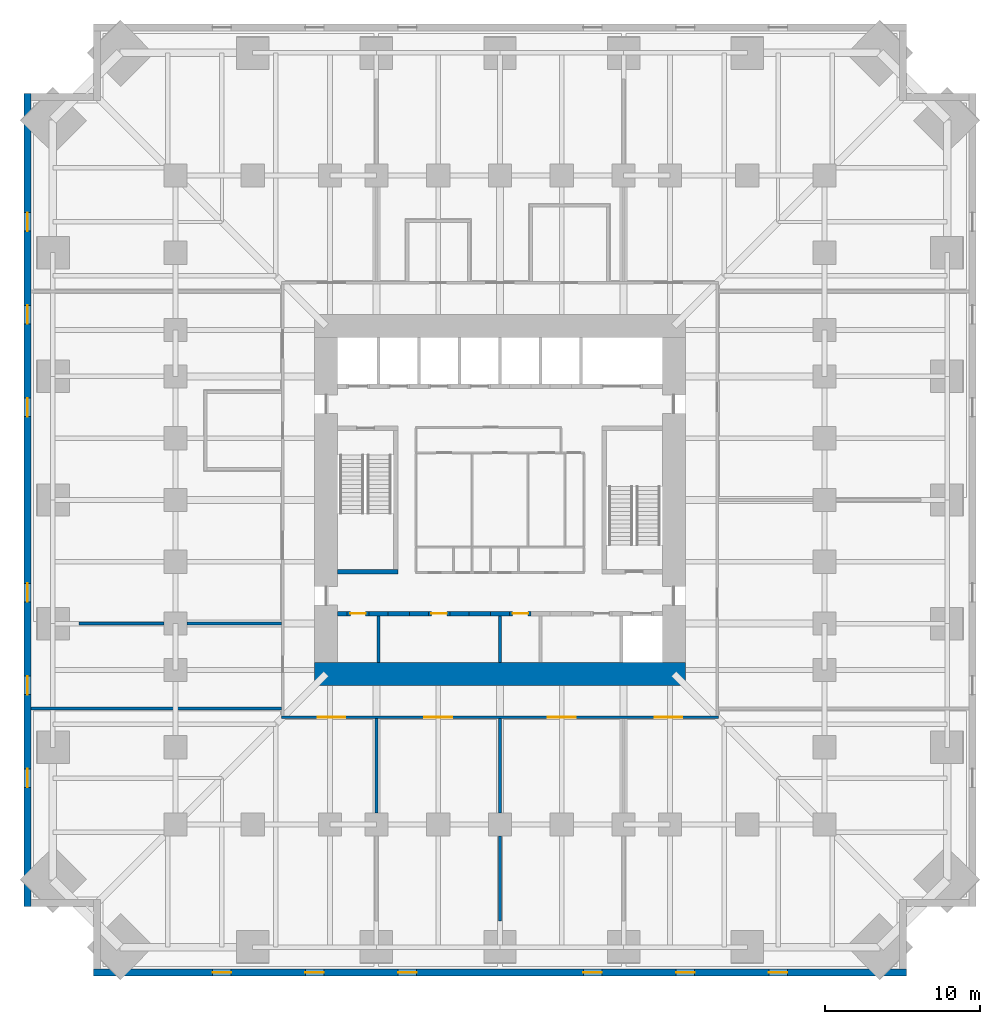
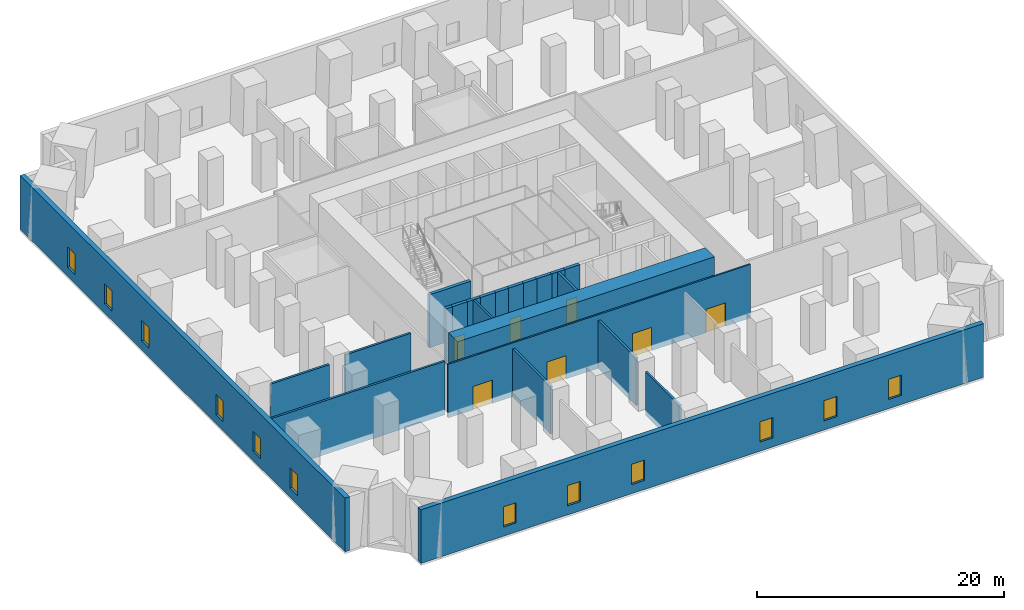
# One storey, part 3 of 8: 23 walls, 12 windows, 7 doors, 19 openings.
"""IFC4 building model written with IfcOpenShell, lengths in metres."""

from ifc_helpers import new_model, si_unit, direction, frame, frame_2d, origin, place, context, subcontext, project, spatial, rectangle, extrude, material, layer, layer_set, type_object, element, fill, save


model = new_model("IFC4")

# Units and contexts
model_context = context("Model", 3, precision=1e-05, world=origin(), true_north=direction((0.0, 1.0)))
body_context = subcontext(model_context, "Body", "Model", "MODEL_VIEW")
ifc_project = project(units=[si_unit("LENGTHUNIT", "METRE"), si_unit("AREAUNIT", "SQUARE_METRE"), si_unit("VOLUMEUNIT", "CUBIC_METRE"), si_unit("PLANEANGLEUNIT", "RADIAN"), si_unit("MASSUNIT", "GRAM", prefix="KILO")], contexts=[model_context])

# Site, building, storey
site_placement = place(None, origin())
site = spatial("IfcSite", under=ifc_project, at=site_placement, CompositionType="ELEMENT")
building_placement = place(site_placement, origin())
building = spatial("IfcBuilding", under=site, at=building_placement, Name="Peilmerk Tower", CompositionType="ELEMENT")
storey_placement = place(building_placement, frame((0.0, 0.0, 48.5)))
storey = spatial("IfcBuildingStorey", under=building, at=storey_placement, Name="L09", CompositionType="ELEMENT", Elevation=48.5)

# Wall, openings, windows
ifc_material_1 = material(Name="Precast concrete C45/55, board-marked finish", Category="concrete")
ifc_layer_1 = layer(ifc_material_1, 0.449951171875)
ifc_layer_set_1 = layer_set([ifc_layer_1], Name="Precast concrete C45/55, board-marked finish")
wall_type_1 = type_object("IfcWallType", Name="EW1 450 precast concrete facade wall, board-marked", PredefinedType="SOLIDWALL", material=ifc_layer_set_1)
wall_1_placement = place(storey_placement, frame((-26.300048828125, -30.574951171875, 0.0), z_axis=(0.0, 0.0, 1.0), x_axis=(1.0, 0.0, 0.0)))
wall_1 = element("IfcWall", 1, at=wall_1_placement, inside=storey, type_object=wall_type_1, Name="Facade wall S L09", PredefinedType="SOLIDWALL", context=body_context, shape_type="SweptSolid", body=[
    extrude(rectangle(XDim=52.60009765625, YDim=0.449951171875, at=frame_2d((26.300048828125, 0.0))), origin(), (0.0, 0.0, 1.0), 5.300048828125),
])
opening_1_placement = place(wall_1_placement, frame((7.699951171875, 0.0, 0.89990234375)))
opening_1 = element("IfcOpeningElement", 2, at=opening_1_placement, cuts=wall_1, Name="Opening W2", PredefinedType="OPENING", context=body_context, shape_type="SweptSolid", body=[
    extrude(rectangle(XDim=1.199951171875, YDim=2.0, at=frame_2d((0.60009765625, 1.0))), frame((0.0, 0.23486328125, 0.0), z_axis=(0.0, -1.0, 0.0), x_axis=(1.0, 0.0, 0.0)), (0.0, 0.0, 1.0), 0.469970703125),
])
opening_2_placement = place(wall_1_placement, frame((13.699951171875, 0.0, 0.89990234375)))
opening_2 = element("IfcOpeningElement", 3, at=opening_2_placement, cuts=wall_1, Name="Opening W2", PredefinedType="OPENING", context=body_context, shape_type="SweptSolid", body=[
    extrude(rectangle(XDim=1.199951171875, YDim=2.0, at=frame_2d((0.60009765625, 1.0))), frame((0.0, 0.23486328125, 0.0), z_axis=(0.0, -1.0, 0.0), x_axis=(1.0, 0.0, 0.0)), (0.0, 0.0, 1.0), 0.469970703125),
])
opening_3_placement = place(wall_1_placement, frame((19.699951171875, 0.0, 0.89990234375)))
opening_3 = element("IfcOpeningElement", 4, at=opening_3_placement, cuts=wall_1, Name="Opening W2", PredefinedType="OPENING", context=body_context, shape_type="SweptSolid", body=[
    extrude(rectangle(XDim=1.199951171875, YDim=2.0, at=frame_2d((0.60009765625, 1.0))), frame((0.0, 0.23486328125, 0.0), z_axis=(0.0, -1.0, 0.0), x_axis=(1.0, 0.0, 0.0)), (0.0, 0.0, 1.0), 0.469970703125),
])
opening_4_placement = place(wall_1_placement, frame((31.699951171875, 0.0, 0.89990234375)))
opening_4 = element("IfcOpeningElement", 5, at=opening_4_placement, cuts=wall_1, Name="Opening W2", PredefinedType="OPENING", context=body_context, shape_type="SweptSolid", body=[
    extrude(rectangle(XDim=1.199951171875, YDim=2.0, at=frame_2d((0.60009765625, 1.0))), frame((0.0, 0.23486328125, 0.0), z_axis=(0.0, -1.0, 0.0), x_axis=(1.0, 0.0, 0.0)), (0.0, 0.0, 1.0), 0.469970703125),
])
opening_5_placement = place(wall_1_placement, frame((37.699951171875, 0.0, 0.89990234375)))
opening_5 = element("IfcOpeningElement", 6, at=opening_5_placement, cuts=wall_1, Name="Opening W2", PredefinedType="OPENING", context=body_context, shape_type="SweptSolid", body=[
    extrude(rectangle(XDim=1.199951171875, YDim=2.0, at=frame_2d((0.60009765625, 1.0))), frame((0.0, 0.23486328125, 0.0), z_axis=(0.0, -1.0, 0.0), x_axis=(1.0, 0.0, 0.0)), (0.0, 0.0, 1.0), 0.469970703125),
])
opening_6_placement = place(wall_1_placement, frame((43.699951171875, 0.0, 0.89990234375)))
opening_6 = element("IfcOpeningElement", 7, at=opening_6_placement, cuts=wall_1, Name="Opening W2", PredefinedType="OPENING", context=body_context, shape_type="SweptSolid", body=[
    extrude(rectangle(XDim=1.199951171875, YDim=2.0, at=frame_2d((0.60009765625, 1.0))), frame((0.0, 0.23486328125, 0.0), z_axis=(0.0, -1.0, 0.0), x_axis=(1.0, 0.0, 0.0)), (0.0, 0.0, 1.0), 0.469970703125),
])
ifc_material_2 = material(Name="Aluminium frame, clear double glazing", Category="aluminium")
window_type = type_object("IfcWindowType", Name="W2 1200x2000 data hall slot window", PartitioningType="SINGLE_PANEL", PredefinedType="WINDOW", material=ifc_material_2)
window_1_placement = place(opening_1_placement, origin())
window_1 = element("IfcWindow", 8, at=window_1_placement, inside=storey, type_object=window_type, Name="Window W2 L09", OverallHeight=2.0, OverallWidth=1.199951171875, PartitioningType="SINGLE_PANEL", PredefinedType="WINDOW", context=body_context, shape_type="SweptSolid", body=[
    extrude(rectangle(XDim=1.199951171875, YDim=2.0, at=frame_2d((0.60009765625, 1.0))), frame((0.0, 0.030029296875, 0.0), z_axis=(0.0, -1.0, 0.0), x_axis=(1.0, 0.0, 0.0)), (0.0, 0.0, 1.0), 0.06005859375),
])
fill(opening_1, window_1)
window_2_placement = place(opening_2_placement, origin())
window_2 = element("IfcWindow", 9, at=window_2_placement, inside=storey, type_object=window_type, Name="Window W2 L09", OverallHeight=2.0, OverallWidth=1.199951171875, PartitioningType="SINGLE_PANEL", PredefinedType="WINDOW", context=body_context, shape_type="SweptSolid", body=[
    extrude(rectangle(XDim=1.199951171875, YDim=2.0, at=frame_2d((0.60009765625, 1.0))), frame((0.0, 0.030029296875, 0.0), z_axis=(0.0, -1.0, 0.0), x_axis=(1.0, 0.0, 0.0)), (0.0, 0.0, 1.0), 0.06005859375),
])
fill(opening_2, window_2)
window_3_placement = place(opening_3_placement, origin())
window_3 = element("IfcWindow", 10, at=window_3_placement, inside=storey, type_object=window_type, Name="Window W2 L09", OverallHeight=2.0, OverallWidth=1.199951171875, PartitioningType="SINGLE_PANEL", PredefinedType="WINDOW", context=body_context, shape_type="SweptSolid", body=[
    extrude(rectangle(XDim=1.199951171875, YDim=2.0, at=frame_2d((0.60009765625, 1.0))), frame((0.0, 0.030029296875, 0.0), z_axis=(0.0, -1.0, 0.0), x_axis=(1.0, 0.0, 0.0)), (0.0, 0.0, 1.0), 0.06005859375),
])
fill(opening_3, window_3)
window_4_placement = place(opening_4_placement, origin())
window_4 = element("IfcWindow", 11, at=window_4_placement, inside=storey, type_object=window_type, Name="Window W2 L09", OverallHeight=2.0, OverallWidth=1.199951171875, PartitioningType="SINGLE_PANEL", PredefinedType="WINDOW", context=body_context, shape_type="SweptSolid", body=[
    extrude(rectangle(XDim=1.199951171875, YDim=2.0, at=frame_2d((0.60009765625, 1.0))), frame((0.0, 0.030029296875, 0.0), z_axis=(0.0, -1.0, 0.0), x_axis=(1.0, 0.0, 0.0)), (0.0, 0.0, 1.0), 0.06005859375),
])
fill(opening_4, window_4)
window_5_placement = place(opening_5_placement, origin())
window_5 = element("IfcWindow", 12, at=window_5_placement, inside=storey, type_object=window_type, Name="Window W2 L09", OverallHeight=2.0, OverallWidth=1.199951171875, PartitioningType="SINGLE_PANEL", PredefinedType="WINDOW", context=body_context, shape_type="SweptSolid", body=[
    extrude(rectangle(XDim=1.199951171875, YDim=2.0, at=frame_2d((0.60009765625, 1.0))), frame((0.0, 0.030029296875, 0.0), z_axis=(0.0, -1.0, 0.0), x_axis=(1.0, 0.0, 0.0)), (0.0, 0.0, 1.0), 0.06005859375),
])
fill(opening_5, window_5)
window_6_placement = place(opening_6_placement, origin())
window_6 = element("IfcWindow", 13, at=window_6_placement, inside=storey, type_object=window_type, Name="Window W2 L09", OverallHeight=2.0, OverallWidth=1.199951171875, PartitioningType="SINGLE_PANEL", PredefinedType="WINDOW", context=body_context, shape_type="SweptSolid", body=[
    extrude(rectangle(XDim=1.199951171875, YDim=2.0, at=frame_2d((0.60009765625, 1.0))), frame((0.0, 0.030029296875, 0.0), z_axis=(0.0, -1.0, 0.0), x_axis=(1.0, 0.0, 0.0)), (0.0, 0.0, 1.0), 0.06005859375),
])
fill(opening_6, window_6)

wall_2_placement = place(storey_placement, frame((-30.574951171875, 26.300048828125, 0.0), z_axis=(0.0, 0.0, 1.0), x_axis=(0.0, -1.0, 0.0)))
wall_2 = element("IfcWall", 14, at=wall_2_placement, inside=storey, type_object=wall_type_1, Name="Facade wall W L09", PredefinedType="SOLIDWALL", context=body_context, shape_type="SweptSolid", body=[
    extrude(rectangle(XDim=52.60009765625, YDim=0.449951171875, at=frame_2d((26.300048828125, 0.0))), origin(), (0.0, 0.0, 1.0), 5.300048828125),
])
opening_7_placement = place(wall_2_placement, frame((7.699951171875, 0.0, 0.89990234375)))
opening_7 = element("IfcOpeningElement", 15, at=opening_7_placement, cuts=wall_2, Name="Opening W2", PredefinedType="OPENING", context=body_context, shape_type="SweptSolid", body=[
    extrude(rectangle(XDim=1.199951171875, YDim=2.0, at=frame_2d((0.60009765625, 1.0))), frame((0.0, 0.23486328125, 0.0), z_axis=(0.0, -1.0, 0.0), x_axis=(1.0, 0.0, 0.0)), (0.0, 0.0, 1.0), 0.469970703125),
])
opening_8_placement = place(wall_2_placement, frame((13.699951171875, 0.0, 0.89990234375)))
opening_8 = element("IfcOpeningElement", 16, at=opening_8_placement, cuts=wall_2, Name="Opening W2", PredefinedType="OPENING", context=body_context, shape_type="SweptSolid", body=[
    extrude(rectangle(XDim=1.199951171875, YDim=2.0, at=frame_2d((0.60009765625, 1.0))), frame((0.0, 0.23486328125, 0.0), z_axis=(0.0, -1.0, 0.0), x_axis=(1.0, 0.0, 0.0)), (0.0, 0.0, 1.0), 0.469970703125),
])
opening_9_placement = place(wall_2_placement, frame((19.699951171875, 0.0, 0.89990234375)))
opening_9 = element("IfcOpeningElement", 17, at=opening_9_placement, cuts=wall_2, Name="Opening W2", PredefinedType="OPENING", context=body_context, shape_type="SweptSolid", body=[
    extrude(rectangle(XDim=1.199951171875, YDim=2.0, at=frame_2d((0.60009765625, 1.0))), frame((0.0, 0.23486328125, 0.0), z_axis=(0.0, -1.0, 0.0), x_axis=(1.0, 0.0, 0.0)), (0.0, 0.0, 1.0), 0.469970703125),
])
opening_10_placement = place(wall_2_placement, frame((31.699951171875, 0.0, 0.89990234375)))
opening_10 = element("IfcOpeningElement", 18, at=opening_10_placement, cuts=wall_2, Name="Opening W2", PredefinedType="OPENING", context=body_context, shape_type="SweptSolid", body=[
    extrude(rectangle(XDim=1.199951171875, YDim=2.0, at=frame_2d((0.60009765625, 1.0))), frame((0.0, 0.23486328125, 0.0), z_axis=(0.0, -1.0, 0.0), x_axis=(1.0, 0.0, 0.0)), (0.0, 0.0, 1.0), 0.469970703125),
])
opening_11_placement = place(wall_2_placement, frame((37.699951171875, 0.0, 0.89990234375)))
opening_11 = element("IfcOpeningElement", 19, at=opening_11_placement, cuts=wall_2, Name="Opening W2", PredefinedType="OPENING", context=body_context, shape_type="SweptSolid", body=[
    extrude(rectangle(XDim=1.199951171875, YDim=2.0, at=frame_2d((0.60009765625, 1.0))), frame((0.0, 0.23486328125, 0.0), z_axis=(0.0, -1.0, 0.0), x_axis=(1.0, 0.0, 0.0)), (0.0, 0.0, 1.0), 0.469970703125),
])
opening_12_placement = place(wall_2_placement, frame((43.699951171875, 0.0, 0.89990234375)))
opening_12 = element("IfcOpeningElement", 20, at=opening_12_placement, cuts=wall_2, Name="Opening W2", PredefinedType="OPENING", context=body_context, shape_type="SweptSolid", body=[
    extrude(rectangle(XDim=1.199951171875, YDim=2.0, at=frame_2d((0.60009765625, 1.0))), frame((0.0, 0.23486328125, 0.0), z_axis=(0.0, -1.0, 0.0), x_axis=(1.0, 0.0, 0.0)), (0.0, 0.0, 1.0), 0.469970703125),
])
window_7_placement = place(opening_7_placement, origin())
window_7 = element("IfcWindow", 21, at=window_7_placement, inside=storey, type_object=window_type, Name="Window W2 L09", OverallHeight=2.0, OverallWidth=1.199951171875, PartitioningType="SINGLE_PANEL", PredefinedType="WINDOW", context=body_context, shape_type="SweptSolid", body=[
    extrude(rectangle(XDim=1.199951171875, YDim=2.0, at=frame_2d((0.60009765625, 1.0))), frame((0.0, 0.030029296875, 0.0), z_axis=(0.0, -1.0, 0.0), x_axis=(1.0, 0.0, 0.0)), (0.0, 0.0, 1.0), 0.06005859375),
])
fill(opening_7, window_7)
window_8_placement = place(opening_8_placement, origin())
window_8 = element("IfcWindow", 22, at=window_8_placement, inside=storey, type_object=window_type, Name="Window W2 L09", OverallHeight=2.0, OverallWidth=1.199951171875, PartitioningType="SINGLE_PANEL", PredefinedType="WINDOW", context=body_context, shape_type="SweptSolid", body=[
    extrude(rectangle(XDim=1.199951171875, YDim=2.0, at=frame_2d((0.60009765625, 1.0))), frame((0.0, 0.030029296875, 0.0), z_axis=(0.0, -1.0, 0.0), x_axis=(1.0, 0.0, 0.0)), (0.0, 0.0, 1.0), 0.06005859375),
])
fill(opening_8, window_8)
window_9_placement = place(opening_9_placement, origin())
window_9 = element("IfcWindow", 23, at=window_9_placement, inside=storey, type_object=window_type, Name="Window W2 L09", OverallHeight=2.0, OverallWidth=1.199951171875, PartitioningType="SINGLE_PANEL", PredefinedType="WINDOW", context=body_context, shape_type="SweptSolid", body=[
    extrude(rectangle(XDim=1.199951171875, YDim=2.0, at=frame_2d((0.60009765625, 1.0))), frame((0.0, 0.030029296875, 0.0), z_axis=(0.0, -1.0, 0.0), x_axis=(1.0, 0.0, 0.0)), (0.0, 0.0, 1.0), 0.06005859375),
])
fill(opening_9, window_9)
window_10_placement = place(opening_10_placement, origin())
window_10 = element("IfcWindow", 24, at=window_10_placement, inside=storey, type_object=window_type, Name="Window W2 L09", OverallHeight=2.0, OverallWidth=1.199951171875, PartitioningType="SINGLE_PANEL", PredefinedType="WINDOW", context=body_context, shape_type="SweptSolid", body=[
    extrude(rectangle(XDim=1.199951171875, YDim=2.0, at=frame_2d((0.60009765625, 1.0))), frame((0.0, 0.030029296875, 0.0), z_axis=(0.0, -1.0, 0.0), x_axis=(1.0, 0.0, 0.0)), (0.0, 0.0, 1.0), 0.06005859375),
])
fill(opening_10, window_10)
window_11_placement = place(opening_11_placement, origin())
window_11 = element("IfcWindow", 25, at=window_11_placement, inside=storey, type_object=window_type, Name="Window W2 L09", OverallHeight=2.0, OverallWidth=1.199951171875, PartitioningType="SINGLE_PANEL", PredefinedType="WINDOW", context=body_context, shape_type="SweptSolid", body=[
    extrude(rectangle(XDim=1.199951171875, YDim=2.0, at=frame_2d((0.60009765625, 1.0))), frame((0.0, 0.030029296875, 0.0), z_axis=(0.0, -1.0, 0.0), x_axis=(1.0, 0.0, 0.0)), (0.0, 0.0, 1.0), 0.06005859375),
])
fill(opening_11, window_11)
window_12_placement = place(opening_12_placement, origin())
window_12 = element("IfcWindow", 26, at=window_12_placement, inside=storey, type_object=window_type, Name="Window W2 L09", OverallHeight=2.0, OverallWidth=1.199951171875, PartitioningType="SINGLE_PANEL", PredefinedType="WINDOW", context=body_context, shape_type="SweptSolid", body=[
    extrude(rectangle(XDim=1.199951171875, YDim=2.0, at=frame_2d((0.60009765625, 1.0))), frame((0.0, 0.030029296875, 0.0), z_axis=(0.0, -1.0, 0.0), x_axis=(1.0, 0.0, 0.0)), (0.0, 0.0, 1.0), 0.06005859375),
])
fill(opening_12, window_12)

# Wall, openings, doors
ifc_material_3 = material(Name="Calcium silicate block", Category="masonry")
ifc_layer_2 = layer(ifc_material_3, 0.14990234375)
ifc_layer_set_2 = layer_set([ifc_layer_2], Name="Calcium silicate block")
wall_type_2 = type_object("IfcWallType", Name="IW1 150 corridor partition, EI 60", PredefinedType="PARTITIONING", material=ifc_layer_set_2)
wall_3_placement = place(storey_placement, frame((14.125, -14.050048828125, 0.0), z_axis=(0.0, 0.0, 1.0), x_axis=(-1.0, 0.0, 0.0)))
wall_3 = element("IfcWall", 27, at=wall_3_placement, inside=storey, type_object=wall_type_2, Name="Corridor wall S L09", PredefinedType="PARTITIONING", context=body_context, shape_type="SweptSolid", body=[
    extrude(rectangle(XDim=28.25, YDim=0.14990234375, at=frame_2d((14.125, 0.0))), origin(), (0.0, 0.0, 1.0), 5.300048828125),
])
opening_13_placement = place(wall_3_placement, frame((24.125, 0.0, 0.0)))
opening_13 = element("IfcOpeningElement", 28, at=opening_13_placement, cuts=wall_3, Name="Opening D2", PredefinedType="OPENING", context=body_context, shape_type="SweptSolid", body=[
    extrude(rectangle(XDim=1.800048828125, YDim=2.300048828125, at=frame_2d((0.89990234375, 1.14990234375))), frame((0.0, 0.0849609375, 0.0), z_axis=(0.0, -1.0, 0.0), x_axis=(1.0, 0.0, 0.0)), (0.0, 0.0, 1.0), 0.169921875),
])
opening_14_placement = place(wall_3_placement, frame((17.22509765625, 0.0, 0.0)))
opening_14 = element("IfcOpeningElement", 29, at=opening_14_placement, cuts=wall_3, Name="Opening D2", PredefinedType="OPENING", context=body_context, shape_type="SweptSolid", body=[
    extrude(rectangle(XDim=1.800048828125, YDim=2.300048828125, at=frame_2d((0.89990234375, 1.14990234375))), frame((0.0, 0.0849609375, 0.0), z_axis=(0.0, -1.0, 0.0), x_axis=(1.0, 0.0, 0.0)), (0.0, 0.0, 1.0), 0.169921875),
])
opening_15_placement = place(wall_3_placement, frame((9.22509765625, 0.0, 0.0)))
opening_15 = element("IfcOpeningElement", 30, at=opening_15_placement, cuts=wall_3, Name="Opening D2", PredefinedType="OPENING", context=body_context, shape_type="SweptSolid", body=[
    extrude(rectangle(XDim=1.800048828125, YDim=2.300048828125, at=frame_2d((0.89990234375, 1.14990234375))), frame((0.0, 0.0849609375, 0.0), z_axis=(0.0, -1.0, 0.0), x_axis=(1.0, 0.0, 0.0)), (0.0, 0.0, 1.0), 0.169921875),
])
opening_16_placement = place(wall_3_placement, frame((2.324951171875, 0.0, 0.0)))
opening_16 = element("IfcOpeningElement", 31, at=opening_16_placement, cuts=wall_3, Name="Opening D2", PredefinedType="OPENING", context=body_context, shape_type="SweptSolid", body=[
    extrude(rectangle(XDim=1.800048828125, YDim=2.300048828125, at=frame_2d((0.89990234375, 1.14990234375))), frame((0.0, 0.0849609375, 0.0), z_axis=(0.0, -1.0, 0.0), x_axis=(1.0, 0.0, 0.0)), (0.0, 0.0, 1.0), 0.169921875),
])
ifc_material_4 = material(Name="Steel door in steel frame", Category="steel")
door_type_1 = type_object("IfcDoorType", Name="D2 1800x2300 double door, EI2 60", OperationType="DOUBLE_DOOR_DOUBLE_SWING", PredefinedType="DOOR", material=ifc_material_4)
door_1_placement = place(opening_13_placement, origin())
door_1 = element("IfcDoor", 32, at=door_1_placement, inside=storey, type_object=door_type_1, Name="Door Cross-connect room L09", OperationType="DOUBLE_DOOR_DOUBLE_SWING", OverallHeight=2.300048828125, OverallWidth=1.800048828125, PredefinedType="DOOR", context=body_context, shape_type="SweptSolid", body=[
    extrude(rectangle(XDim=1.800048828125, YDim=2.300048828125, at=frame_2d((0.89990234375, 1.14990234375))), frame((0.0, 0.02490234375, 0.0), z_axis=(0.0, -1.0, 0.0), x_axis=(1.0, 0.0, 0.0)), (0.0, 0.0, 1.0), 0.050048828125),
])
fill(opening_13, door_1)
door_2_placement = place(opening_14_placement, origin())
door_2 = element("IfcDoor", 33, at=door_2_placement, inside=storey, type_object=door_type_1, Name="Door Meet-me room B L09", OperationType="DOUBLE_DOOR_DOUBLE_SWING", OverallHeight=2.300048828125, OverallWidth=1.800048828125, PredefinedType="DOOR", context=body_context, shape_type="SweptSolid", body=[
    extrude(rectangle(XDim=1.800048828125, YDim=2.300048828125, at=frame_2d((0.89990234375, 1.14990234375))), frame((0.0, 0.02490234375, 0.0), z_axis=(0.0, -1.0, 0.0), x_axis=(1.0, 0.0, 0.0)), (0.0, 0.0, 1.0), 0.050048828125),
])
fill(opening_14, door_2)
door_3_placement = place(opening_15_placement, origin())
door_3 = element("IfcDoor", 34, at=door_3_placement, inside=storey, type_object=door_type_1, Name="Door Carrier room L09", OperationType="DOUBLE_DOOR_DOUBLE_SWING", OverallHeight=2.300048828125, OverallWidth=1.800048828125, PredefinedType="DOOR", context=body_context, shape_type="SweptSolid", body=[
    extrude(rectangle(XDim=1.800048828125, YDim=2.300048828125, at=frame_2d((0.89990234375, 1.14990234375))), frame((0.0, 0.02490234375, 0.0), z_axis=(0.0, -1.0, 0.0), x_axis=(1.0, 0.0, 0.0)), (0.0, 0.0, 1.0), 0.050048828125),
])
fill(opening_15, door_3)
door_4_placement = place(opening_16_placement, origin())
door_4 = element("IfcDoor", 35, at=door_4_placement, inside=storey, type_object=door_type_1, Name="Door Network room L09", OperationType="DOUBLE_DOOR_DOUBLE_SWING", OverallHeight=2.300048828125, OverallWidth=1.800048828125, PredefinedType="DOOR", context=body_context, shape_type="SweptSolid", body=[
    extrude(rectangle(XDim=1.800048828125, YDim=2.300048828125, at=frame_2d((0.89990234375, 1.14990234375))), frame((0.0, 0.02490234375, 0.0), z_axis=(0.0, -1.0, 0.0), x_axis=(1.0, 0.0, 0.0)), (0.0, 0.0, 1.0), 0.050048828125),
])
fill(opening_16, door_4)

# Walls
ifc_layer_3 = layer(ifc_material_3, 0.199951171875)
ifc_layer_set_3 = layer_set([ifc_layer_3], Name="Calcium silicate block")
wall_type_3 = type_object("IfcWallType", Name="IW2 200 room separating wall, EI 120", PredefinedType="PARTITIONING", material=ifc_layer_set_3)
wall_4_placement = place(storey_placement, frame((-14.125, -13.5, 0.0), z_axis=(0.0, 0.0, 1.0), x_axis=(-1.0, 0.0, 0.0)))
element("IfcWall", 36, at=wall_4_placement, inside=storey, type_object=wall_type_3, Name="Room separating wall SW L09", PredefinedType="PARTITIONING", context=body_context, shape_type="SweptSolid", body=[
    extrude(rectangle(XDim=16.22509765625, YDim=0.199951171875, at=frame_2d((8.112548828125, 0.0))), origin(), (0.0, 0.0, 1.0), 5.300048828125),
])
for number, where, z_axis, x_axis, name in (
    (37, (-8.0, -14.125, 0.0), (0.0, 0.0, 1.0), (0.0, -1.0, 0.0), "Room separating wall S1 L09"),
    (38, (0.0, -14.125, 0.0), (0.0, 0.0, 1.0), (0.0, -1.0, 0.0), "Room separating wall S2 L09"),
):
    element("IfcWall", number, at=place(storey_placement, frame(where, z_axis=z_axis, x_axis=x_axis)), inside=storey, type_object=wall_type_3, Name=name, PredefinedType="PARTITIONING", context=body_context, shape_type="SweptSolid", body=[
        extrude(rectangle(XDim=6.125, YDim=0.199951171875, at=frame_2d((3.0625, 0.0))), origin(), (0.0, 0.0, 1.0), 4.73095703125),
    ])
wall_5_placement = place(storey_placement, frame((0.0, -21.75, 0.0), z_axis=(0.0, 0.0, 1.0), x_axis=(0.0, -1.0, 0.0)))
element("IfcWall", 39, at=wall_5_placement, inside=storey, type_object=wall_type_3, Name="Room separating wall S2b L09", PredefinedType="PARTITIONING", context=body_context, shape_type="SweptSolid", body=[
    extrude(rectangle(XDim=5.484375, YDim=0.199951171875, at=frame_2d((2.7421875, 0.0))), origin(), (0.0, 0.0, 1.0), 4.2919921875),
])
wall_6_placement = place(storey_placement, frame((-14.125, -8.0, 0.0), z_axis=(0.0, 0.0, 1.0), x_axis=(-1.0, 0.0, 0.0)))
element("IfcWall", 40, at=wall_6_placement, inside=storey, type_object=wall_type_3, Name="Room separating wall W1 L09", PredefinedType="PARTITIONING", context=body_context, shape_type="SweptSolid", body=[
    extrude(rectangle(XDim=6.125, YDim=0.199951171875, at=frame_2d((3.0625, 0.0))), origin(), (0.0, 0.0, 1.0), 4.73095703125),
])
wall_7_placement = place(storey_placement, frame((-21.75, -8.0, 0.0), z_axis=(0.0, 0.0, 1.0), x_axis=(-1.0, 0.0, 0.0)))
element("IfcWall", 41, at=wall_7_placement, inside=storey, type_object=wall_type_3, Name="Room separating wall W1b L09", PredefinedType="PARTITIONING", context=body_context, shape_type="SweptSolid", body=[
    extrude(rectangle(XDim=5.484375, YDim=0.199951171875, at=frame_2d((2.7421875, 0.0))), origin(), (0.0, 0.0, 1.0), 4.2919921875),
])
ifc_material_5 = material(Name="Concrete C35/45", Category="concrete")
ifc_layer_4 = layer(ifc_material_5, 0.300048828125)
ifc_layer_set_4 = layer_set([ifc_layer_4], Name="Concrete C35/45")
wall_type_4 = type_object("IfcWallType", Name="IW3 300 concrete stair enclosure wall, EI 120", PredefinedType="SOLIDWALL", material=ifc_layer_set_4)
wall_8_placement = place(storey_placement, frame((-6.60009765625, -4.64990234375, 0.0), z_axis=(0.0, 0.0, 1.0), x_axis=(-1.0, 0.0, 0.0)))
element("IfcWall", 42, at=wall_8_placement, inside=storey, type_object=wall_type_4, Name="Stair 1 enclosure L09", PredefinedType="SOLIDWALL", context=body_context, shape_type="SweptSolid", body=[
    extrude(rectangle(XDim=3.89990234375, YDim=0.300048828125, at=frame_2d((1.949951171875, 0.0))), origin(), (0.0, 0.0, 1.0), 5.25),
])
ifc_layer_5 = layer(ifc_material_3, 0.199951171875)
ifc_layer_set_5 = layer_set([ifc_layer_5], Name="Calcium silicate block")
wall_type_5 = type_object("IfcWallType", Name="SH1 200 shaft dividing wall, EI 120", PredefinedType="PARTITIONING", material=ifc_layer_set_5)
for number, where, z_axis, x_axis, name in (
    (43, (-7.875, -10.5, 0.0), (0.0, 0.0, 1.0), (0.0, 1.0, 0.0), "Shaft wall S C4 L09"),
    (44, (0.0, -10.5, 0.0), (0.0, 0.0, 1.0), (0.0, 1.0, 0.0), "Shaft wall S C1 L09"),
):
    element("IfcWall", number, at=place(storey_placement, frame(where, z_axis=z_axis, x_axis=x_axis)), inside=storey, type_object=wall_type_5, Name=name, PredefinedType="PARTITIONING", context=body_context, shape_type="SweptSolid", body=[
        extrude(rectangle(XDim=3.0, YDim=0.199951171875, at=frame_2d((1.5, 0.0))), origin(), (0.0, 0.0, 1.0), 5.5),
    ])

# Wall, opening, door
ifc_layer_6 = layer(ifc_material_3, 0.300048828125)
ifc_layer_set_6 = layer_set([ifc_layer_6], Name="Calcium silicate block")
wall_type_6 = type_object("IfcWallType", Name="SH2 300 lift landing door panel, EI 120", PredefinedType="PARTITIONING", material=ifc_layer_set_6)
wall_9_placement = place(storey_placement, frame((-9.887451171875, -7.35009765625, 0.0), z_axis=(0.0, 0.0, 1.0), x_axis=(1.0, 0.0, 0.0)))
wall_9 = element("IfcWall", 45, at=wall_9_placement, inside=storey, type_object=wall_type_6, Name="Lift door panel S C4 L09", PredefinedType="PARTITIONING", context=body_context, shape_type="SweptSolid", body=[
    extrude(rectangle(XDim=1.39990234375, YDim=0.300048828125, at=frame_2d((0.699951171875, 0.0))), origin(), (0.0, 0.0, 1.0), 5.5),
])
opening_17_placement = place(wall_9_placement, frame((0.199951171875, 0.0, 0.0)))
opening_17 = element("IfcOpeningElement", 46, at=opening_17_placement, cuts=wall_9, Name="Opening D10", PredefinedType="OPENING", context=body_context, shape_type="SweptSolid", body=[
    extrude(rectangle(XDim=1.0, YDim=2.300048828125, at=frame_2d((0.5, 1.14990234375))), frame((0.0, 0.159912109375, 0.0), z_axis=(0.0, -1.0, 0.0), x_axis=(1.0, 0.0, 0.0)), (0.0, 0.0, 1.0), 0.320068359375),
])
door_type_2 = type_object("IfcDoorType", Name="D10 1000x2300 core room door, EI2 60", OperationType="SINGLE_SWING_RIGHT", PredefinedType="DOOR", material=ifc_material_4)
door_5_placement = place(opening_17_placement, frame((1.0, 0.0, 0.0), z_axis=(0.0, 0.0, 1.0), x_axis=(-1.0, 0.0, 0.0)))
door_5 = element("IfcDoor", 47, at=door_5_placement, inside=storey, type_object=door_type_2, Name="Door Water meter room L09", OperationType="SINGLE_SWING_RIGHT", OverallHeight=2.300048828125, OverallWidth=1.0, PredefinedType="DOOR", context=body_context, shape_type="SweptSolid", body=[
    extrude(rectangle(XDim=1.0, YDim=2.300048828125, at=frame_2d((0.5, 1.14990234375))), frame((0.0, 0.02490234375, 0.0), z_axis=(0.0, -1.0, 0.0), x_axis=(1.0, 0.0, 0.0)), (0.0, 0.0, 1.0), 0.050048828125),
])
fill(opening_17, door_5)

# Wall
wall_10_placement = place(storey_placement, frame((-7.262451171875, -7.35009765625, 0.0), z_axis=(0.0, 0.0, 1.0), x_axis=(1.0, 0.0, 0.0)))
element("IfcWall", 48, at=wall_10_placement, inside=storey, type_object=wall_type_6, Name="Lift door panel S C3 L09", PredefinedType="PARTITIONING", context=body_context, shape_type="SweptSolid", body=[
    extrude(rectangle(XDim=1.39990234375, YDim=0.300048828125, at=frame_2d((0.699951171875, 0.0))), origin(), (0.0, 0.0, 1.0), 5.5),
])

# Wall, opening, door
wall_11_placement = place(storey_placement, frame((-4.637451171875, -7.35009765625, 0.0), z_axis=(0.0, 0.0, 1.0), x_axis=(1.0, 0.0, 0.0)))
wall_11 = element("IfcWall", 49, at=wall_11_placement, inside=storey, type_object=wall_type_6, Name="Lift door panel S C2 L09", PredefinedType="PARTITIONING", context=body_context, shape_type="SweptSolid", body=[
    extrude(rectangle(XDim=1.39990234375, YDim=0.300048828125, at=frame_2d((0.699951171875, 0.0))), origin(), (0.0, 0.0, 1.0), 5.5),
])
opening_18_placement = place(wall_11_placement, frame((0.199951171875, 0.0, 0.0)))
opening_18 = element("IfcOpeningElement", 50, at=opening_18_placement, cuts=wall_11, Name="Opening D10", PredefinedType="OPENING", context=body_context, shape_type="SweptSolid", body=[
    extrude(rectangle(XDim=1.0, YDim=2.300048828125, at=frame_2d((0.5, 1.14990234375))), frame((0.0, 0.159912109375, 0.0), z_axis=(0.0, -1.0, 0.0), x_axis=(1.0, 0.0, 0.0)), (0.0, 0.0, 1.0), 0.320068359375),
])
door_6_placement = place(opening_18_placement, frame((1.0, 0.0, 0.0), z_axis=(0.0, 0.0, 1.0), x_axis=(-1.0, 0.0, 0.0)))
door_6 = element("IfcDoor", 51, at=door_6_placement, inside=storey, type_object=door_type_2, Name="Door IT room L09", OperationType="SINGLE_SWING_RIGHT", OverallHeight=2.300048828125, OverallWidth=1.0, PredefinedType="DOOR", context=body_context, shape_type="SweptSolid", body=[
    extrude(rectangle(XDim=1.0, YDim=2.300048828125, at=frame_2d((0.5, 1.14990234375))), frame((0.0, 0.02490234375, 0.0), z_axis=(0.0, -1.0, 0.0), x_axis=(1.0, 0.0, 0.0)), (0.0, 0.0, 1.0), 0.050048828125),
])
fill(opening_18, door_6)

# Wall
wall_12_placement = place(storey_placement, frame((-2.012451171875, -7.35009765625, 0.0), z_axis=(0.0, 0.0, 1.0), x_axis=(1.0, 0.0, 0.0)))
element("IfcWall", 52, at=wall_12_placement, inside=storey, type_object=wall_type_6, Name="Lift door panel S C1 L09", PredefinedType="PARTITIONING", context=body_context, shape_type="SweptSolid", body=[
    extrude(rectangle(XDim=1.39990234375, YDim=0.300048828125, at=frame_2d((0.699951171875, 0.0))), origin(), (0.0, 0.0, 1.0), 5.5),
])

# Wall, opening, door
wall_13_placement = place(storey_placement, frame((0.612548828125, -7.35009765625, 0.0), z_axis=(0.0, 0.0, 1.0), x_axis=(1.0, 0.0, 0.0)))
wall_13 = element("IfcWall", 53, at=wall_13_placement, inside=storey, type_object=wall_type_6, Name="Lift door panel S B3 L09", PredefinedType="PARTITIONING", context=body_context, shape_type="SweptSolid", body=[
    extrude(rectangle(XDim=1.39990234375, YDim=0.300048828125, at=frame_2d((0.699951171875, 0.0))), origin(), (0.0, 0.0, 1.0), 5.5),
])
opening_19_placement = place(wall_13_placement, frame((0.199951171875, 0.0, 0.0)))
opening_19 = element("IfcOpeningElement", 54, at=opening_19_placement, cuts=wall_13, Name="Opening D10", PredefinedType="OPENING", context=body_context, shape_type="SweptSolid", body=[
    extrude(rectangle(XDim=1.0, YDim=2.300048828125, at=frame_2d((0.5, 1.14990234375))), frame((0.0, 0.159912109375, 0.0), z_axis=(0.0, -1.0, 0.0), x_axis=(1.0, 0.0, 0.0)), (0.0, 0.0, 1.0), 0.320068359375),
])
door_7_placement = place(opening_19_placement, frame((1.0, 0.0, 0.0), z_axis=(0.0, 0.0, 1.0), x_axis=(-1.0, 0.0, 0.0)))
door_7 = element("IfcDoor", 55, at=door_7_placement, inside=storey, type_object=door_type_2, Name="Door Staff WC L09", OperationType="SINGLE_SWING_RIGHT", OverallHeight=2.300048828125, OverallWidth=1.0, PredefinedType="DOOR", context=body_context, shape_type="SweptSolid", body=[
    extrude(rectangle(XDim=1.0, YDim=2.300048828125, at=frame_2d((0.5, 1.14990234375))), frame((0.0, 0.02490234375, 0.0), z_axis=(0.0, -1.0, 0.0), x_axis=(1.0, 0.0, 0.0)), (0.0, 0.0, 1.0), 0.050048828125),
])
fill(opening_19, door_7)

# Walls
ifc_material_6 = material(Name="Concrete C55/67", Category="concrete")
ifc_layer_7 = layer(ifc_material_6, 1.5)
ifc_layer_set_7 = layer_set([ifc_layer_7], Name="Concrete C55/67")
wall_type_7 = type_object("IfcWallType", Name="SW1 1500 core wall", PredefinedType="SHEAR", material=ifc_layer_set_7)
wall_14_placement = place(storey_placement, frame((12.0, -11.25, 0.0), z_axis=(0.0, 0.0, 1.0), x_axis=(-1.0, 0.0, 0.0)))
element("IfcWall", 56, at=wall_14_placement, inside=storey, type_object=wall_type_7, Name="Core wall S L09", PredefinedType="SHEAR", context=body_context, shape_type="SweptSolid", body=[
    extrude(rectangle(XDim=24.0, YDim=1.5, at=frame_2d((12.0, 0.0))), origin(), (0.0, 0.0, 1.0), 5.5),
])
ifc_layer_8 = layer(ifc_material_6, 0.300048828125)
ifc_layer_set_8 = layer_set([ifc_layer_8], Name="Concrete C55/67")
wall_type_8 = type_object("IfcWallType", Name="SW2 300 lift bank pier", PredefinedType="SHEAR", material=ifc_layer_set_8)
wall_15_placement = place(storey_placement, frame((-10.5, -7.35009765625, 0.0), z_axis=(0.0, 0.0, 1.0), x_axis=(1.0, 0.0, 0.0)))
element("IfcWall", 57, at=wall_15_placement, inside=storey, type_object=wall_type_8, Name="Lift bank pier S L09", PredefinedType="SHEAR", context=body_context, shape_type="SweptSolid", body=[
    extrude(rectangle(XDim=0.612548828125, YDim=0.300048828125, at=frame_2d((0.30615234375, 0.0))), origin(), (0.0, 0.0, 1.0), 5.5),
])
for number, where, z_axis, x_axis, name in (
    (58, (-8.487548828125, -7.35009765625, 0.0), (0.0, 0.0, 1.0), (1.0, 0.0, 0.0), "Lift bank pier S L09"),
    (59, (-5.862548828125, -7.35009765625, 0.0), (0.0, 0.0, 1.0), (1.0, 0.0, 0.0), "Lift bank pier S L09"),
    (60, (-3.237548828125, -7.35009765625, 0.0), (0.0, 0.0, 1.0), (1.0, 0.0, 0.0), "Lift bank pier S L09"),
    (61, (-0.612548828125, -7.35009765625, 0.0), (0.0, 0.0, 1.0), (1.0, 0.0, 0.0), "Lift bank pier S L09"),
):
    element("IfcWall", number, at=place(storey_placement, frame(where, z_axis=z_axis, x_axis=x_axis)), inside=storey, type_object=wall_type_8, Name=name, PredefinedType="SHEAR", context=body_context, shape_type="SweptSolid", body=[
        extrude(rectangle(XDim=1.22509765625, YDim=0.300048828125, at=frame_2d((0.612548828125, 0.0))), origin(), (0.0, 0.0, 1.0), 5.5),
    ])

save(model, "model.ifc")
